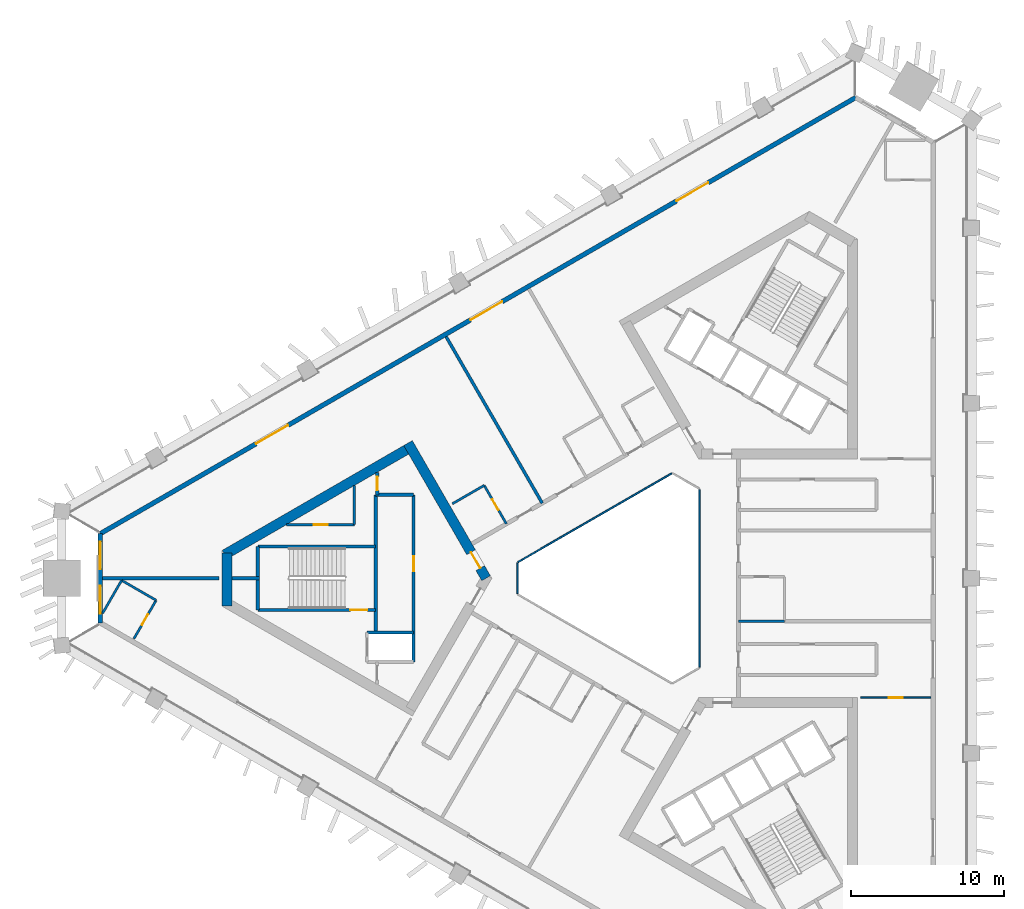
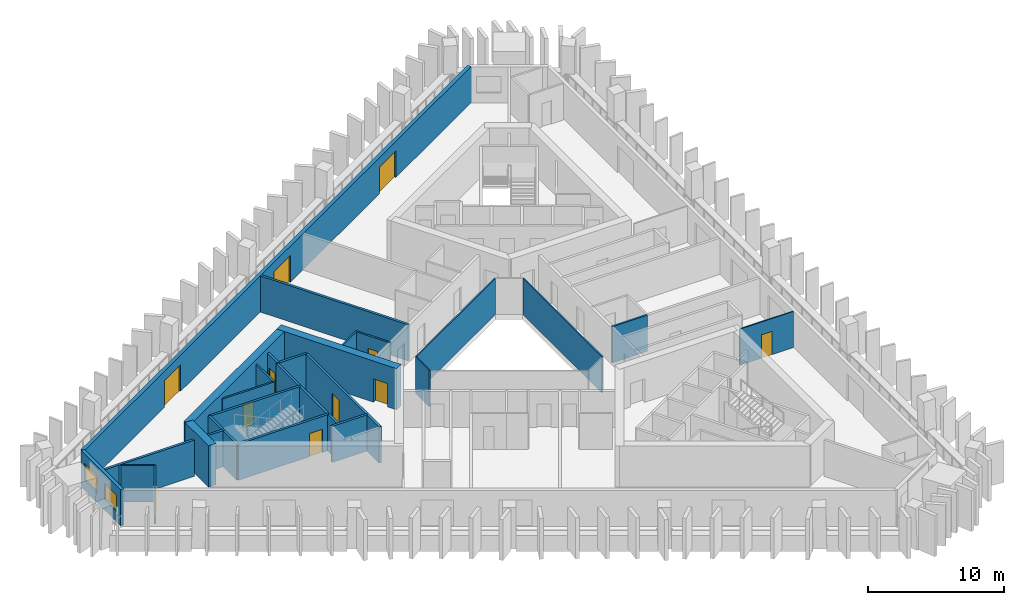
# One storey, part 4 of 11: 28 walls, 11 doors, 2 windows, 13 openings.
"""IFC4 building model written with IfcOpenShell, lengths in metres."""

from ifc_helpers import new_model, si_unit, direction, frame, frame_2d, origin, place, context, subcontext, project, spatial, rectangle, extrude, material, layer, layer_set, type_object, element, fill, save


model = new_model("IFC4")

# Units and contexts
model_context = context("Model", 3, precision=1e-05, world=origin(), true_north=direction((0.0, 1.0)))
body_context = subcontext(model_context, "Body", "Model", "MODEL_VIEW")
ifc_project = project(units=[si_unit("LENGTHUNIT", "METRE"), si_unit("AREAUNIT", "SQUARE_METRE"), si_unit("VOLUMEUNIT", "CUBIC_METRE"), si_unit("PLANEANGLEUNIT", "RADIAN"), si_unit("MASSUNIT", "GRAM", prefix="KILO")], contexts=[model_context])

# Site, building, storey
site_placement = place(None, origin())
site = spatial("IfcSite", under=ifc_project, at=site_placement, CompositionType="ELEMENT")
building_placement = place(site_placement, origin())
building = spatial("IfcBuilding", under=site, at=building_placement, Name="Jabali Bay Hotel Tower and Convention Centre", CompositionType="ELEMENT")
storey_placement = place(building_placement, frame((0.0, 0.0, 114.199951171875)))
storey = spatial("IfcBuildingStorey", under=building, at=storey_placement, Name="L27", CompositionType="ELEMENT", Elevation=114.199951171875)

# Walls
ifc_material_1 = material(Name="Fire-resistant glazing", Category="glass")
ifc_layer_1 = layer(ifc_material_1, 0.10009765625)
ifc_layer_set_1 = layer_set([ifc_layer_1], Name="Fire-resistant glazing")
wall_type_1 = type_object("IfcWallType", Name="Atrium glazed screen 100", PredefinedType="PARTITIONING", material=ifc_layer_set_1)
for number, where, z_axis, x_axis, name in (
    (1, (79.56005859375, 74.205810546875, 0.0), (0.0, 0.0, 1.0), (0.0, 1.0, 0.0), "Atrium screen 1 L27"),
    (2, (77.738037109375, 86.84619140625, 0.0), (0.0, 0.0, 1.0), (-0.866026658274, -0.499997827154, 0.0), "Atrium screen 3 L27"),
):
    element("IfcWall", number, at=place(storey_placement, frame(where, z_axis=z_axis, x_axis=x_axis)), inside=storey, type_object=wall_type_1, Name=name, PredefinedType="PARTITIONING", context=body_context, shape_type="SweptSolid", body=[
        extrude(rectangle(XDim=11.58837890625, YDim=0.10009765625, at=frame_2d((5.794189453125, 0.0))), origin(), (0.0, 0.0, 1.0), 3.25),
    ])
wall_1_placement = place(storey_placement, frame((67.672119140625, 81.0, 0.0), z_axis=(0.0, 0.0, 1.0), x_axis=(0.0, -1.0, 0.0)))
element("IfcWall", 3, at=wall_1_placement, inside=storey, type_object=wall_type_1, Name="Atrium screen 4 L27", PredefinedType="PARTITIONING", context=body_context, shape_type="SweptSolid", body=[
    extrude(rectangle(XDim=2.0, YDim=0.10009765625, at=frame_2d((1.0, 0.0))), origin(), (0.0, 0.0, 1.0), 3.25),
])
ifc_material_2 = material(Name="Concrete C40", Category="concrete")
ifc_layer_2 = layer(ifc_material_2, 0.199951171875)
ifc_layer_set_2 = layer_set([ifc_layer_2], Name="Concrete C40")
wall_type_2 = type_object("IfcWallType", Name="Core partition wall 200", PredefinedType="PARTITIONING", material=ifc_layer_set_2)
wall_2_placement = place(storey_placement, frame((50.820068359375, 80.0, 0.0), z_axis=(0.0, 0.0, 1.0), x_axis=(-1.0, 0.0, 0.0)))
element("IfcWall", 4, at=wall_2_placement, inside=storey, type_object=wall_type_2, Name="Core wall 0.3 L27", PredefinedType="PARTITIONING", context=body_context, shape_type="SweptSolid", body=[
    extrude(rectangle(XDim=1.773193359375, YDim=0.199951171875, at=frame_2d((0.88671875, 0.0))), origin(), (0.0, 0.0, 1.0), 3.25),
])

# Wall, opening, door
wall_3_placement = place(storey_placement, frame((58.52001953125, 86.916748046875, 0.0), z_axis=(0.0, 0.0, 1.0), x_axis=(0.0, -1.0, 0.0)))
wall_3 = element("IfcWall", 5, at=wall_3_placement, inside=storey, type_object=wall_type_2, Name="Core wall 0.8 L27", PredefinedType="PARTITIONING", context=body_context, shape_type="SweptSolid", body=[
    extrude(rectangle(XDim=1.466796875, YDim=0.199951171875, at=frame_2d((0.7333984375, 0.0))), origin(), (0.0, 0.0, 1.0), 3.25),
])
opening_1_placement = place(wall_3_placement, frame((0.283447265625, 0.0, 0.0)))
opening_1 = element("IfcOpeningElement", 6, at=opening_1_placement, cuts=wall_3, Name="Opening D606", PredefinedType="OPENING", context=body_context, shape_type="SweptSolid", body=[
    extrude(rectangle(XDim=0.89990234375, YDim=2.10009765625, at=frame_2d((0.449951171875, 1.050048828125))), frame((0.0, 0.1103515625, 0.0), z_axis=(0.0, -1.0, 0.0), x_axis=(1.0, 0.0, 0.0)), (0.0, 0.0, 1.0), 0.220947265625),
])
ifc_material_3 = material(Name="Fire-rated steel door", Category="steel")
door_type_1 = type_object("IfcDoorType", Name="Vestibule fire door 900 x 2100", OperationType="NOTDEFINED", PredefinedType="NOTDEFINED", material=ifc_material_3)
door_1_placement = place(opening_1_placement, origin())
door_1 = element("IfcDoor", 7, at=door_1_placement, inside=storey, type_object=door_type_1, Name="Vestibule fire door D606", OperationType="SINGLE_SWING_LEFT", OverallHeight=2.10009765625, OverallWidth=0.89990234375, PredefinedType="NOTDEFINED", context=body_context, shape_type="SweptSolid", body=[
    extrude(rectangle(XDim=0.89990234375, YDim=2.10009765625, at=frame_2d((0.449951171875, 1.050048828125))), frame((0.0, 0.02490234375, 0.0), z_axis=(0.0, -1.0, 0.0), x_axis=(1.0, 0.0, 0.0)), (0.0, 0.0, 1.0), 0.050048828125),
])
fill(opening_1, door_1)

ifc_material_4 = material(Name="Fire-rated board partition")
ifc_layer_3 = layer(ifc_material_4, 0.14990234375)
ifc_layer_set_3 = layer_set([ifc_layer_3], Name="Fire-rated board partition")
wall_type_3 = type_object("IfcWallType", Name="Core room partition 150", PredefinedType="PARTITIONING", material=ifc_layer_set_3)
wall_4_placement = place(storey_placement, frame((57.02001953125, 83.5, 0.0), z_axis=(0.0, 0.0, 1.0), x_axis=(-1.0, 0.0, 0.0)))
wall_4 = element("IfcWall", 8, at=wall_4_placement, inside=storey, type_object=wall_type_3, Name="Core wall 0.1 L27", PredefinedType="PARTITIONING", context=body_context, shape_type="SweptSolid", body=[
    extrude(rectangle(XDim=4.417724609375, YDim=0.14990234375, at=frame_2d((2.208984375, 0.0))), origin(), (0.0, 0.0, 1.0), 3.25),
])
opening_2_placement = place(wall_4_placement, frame((1.7314453125, 0.0, 0.0)))
opening_2 = element("IfcOpeningElement", 9, at=opening_2_placement, cuts=wall_4, Name="Opening D608", PredefinedType="OPENING", context=body_context, shape_type="SweptSolid", body=[
    extrude(rectangle(XDim=0.89990234375, YDim=2.10009765625, at=frame_2d((0.449951171875, 1.050048828125))), frame((0.0, 0.08544921875, 0.0), z_axis=(0.0, -1.0, 0.0), x_axis=(1.0, 0.0, 0.0)), (0.0, 0.0, 1.0), 0.1708984375),
])
door_type_2 = type_object("IfcDoorType", Name="Core room door 900 x 2100", OperationType="NOTDEFINED", PredefinedType="NOTDEFINED", material=ifc_material_3)
door_2_placement = place(opening_2_placement, origin())
door_2 = element("IfcDoor", 10, at=door_2_placement, inside=storey, type_object=door_type_2, Name="Core room door D608", OperationType="SINGLE_SWING_LEFT", OverallHeight=2.10009765625, OverallWidth=0.89990234375, PredefinedType="NOTDEFINED", context=body_context, shape_type="SweptSolid", body=[
    extrude(rectangle(XDim=0.89990234375, YDim=2.10009765625, at=frame_2d((0.449951171875, 1.050048828125))), frame((0.0, 0.02490234375, 0.0), z_axis=(0.0, -1.0, 0.0), x_axis=(1.0, 0.0, 0.0)), (0.0, 0.0, 1.0), 0.050048828125),
])
fill(opening_2, door_2)

# Walls
wall_5_placement = place(storey_placement, frame((57.02001953125, 86.050537109375, 0.0), z_axis=(0.0, 0.0, 1.0), x_axis=(0.0, -1.0, 0.0)))
element("IfcWall", 11, at=wall_5_placement, inside=storey, type_object=wall_type_3, Name="Core wall 0.12 L27", PredefinedType="PARTITIONING", context=body_context, shape_type="SweptSolid", body=[
    extrude(rectangle(XDim=2.550537109375, YDim=0.14990234375, at=frame_2d((1.275390625, 0.0))), origin(), (0.0, 0.0, 1.0), 3.25),
])
ifc_layer_4 = layer(ifc_material_2, 0.199951171875)
ifc_layer_set_4 = layer_set([ifc_layer_4], Name="Concrete C40")
wall_type_4 = type_object("IfcWallType", Name="Core stair wall 200", PredefinedType="SOLIDWALL", material=ifc_layer_set_4)
wall_6_placement = place(storey_placement, frame((60.89990234375, 85.449951171875, 0.0), z_axis=(0.0, 0.0, 1.0), x_axis=(-1.0, 0.0, 0.0)))
element("IfcWall", 12, at=wall_6_placement, inside=storey, type_object=wall_type_4, Name="Core wall 0.0 L27", PredefinedType="SOLIDWALL", context=body_context, shape_type="SweptSolid", body=[
    extrude(rectangle(XDim=2.47998046875, YDim=0.199951171875, at=frame_2d((1.239990234375, 0.0))), origin(), (0.0, 0.0, 1.0), 3.25),
])
wall_7_placement = place(storey_placement, frame((58.419921875, 82.074951171875, 0.0), z_axis=(0.0, 0.0, 1.0), x_axis=(-1.0, 0.0, 0.0)))
element("IfcWall", 13, at=wall_7_placement, inside=storey, type_object=wall_type_4, Name="Core wall 0.2 L27", PredefinedType="SOLIDWALL", context=body_context, shape_type="SweptSolid", body=[
    extrude(rectangle(XDim=7.699951171875, YDim=0.199951171875, at=frame_2d((3.85009765625, 0.0))), origin(), (0.0, 0.0, 1.0), 3.25),
])

# Wall, opening, door
wall_8_placement = place(storey_placement, frame((58.419921875, 77.925048828125, 0.0), z_axis=(0.0, 0.0, 1.0), x_axis=(-1.0, 0.0, 0.0)))
wall_8 = element("IfcWall", 14, at=wall_8_placement, inside=storey, type_object=wall_type_4, Name="Core wall 0.4 L27", PredefinedType="SOLIDWALL", context=body_context, shape_type="SweptSolid", body=[
    extrude(rectangle(XDim=7.699951171875, YDim=0.199951171875, at=frame_2d((3.85009765625, 0.0))), origin(), (0.0, 0.0, 1.0), 3.25),
])
opening_3_placement = place(wall_8_placement, frame((0.550048828125, 0.0, 0.0)))
opening_3 = element("IfcOpeningElement", 15, at=opening_3_placement, cuts=wall_8, Name="Opening D607", PredefinedType="OPENING", context=body_context, shape_type="SweptSolid", body=[
    extrude(rectangle(XDim=1.10009765625, YDim=2.10009765625, at=frame_2d((0.550048828125, 1.050048828125))), frame((0.0, 0.1103515625, 0.0), z_axis=(0.0, -1.0, 0.0), x_axis=(1.0, 0.0, 0.0)), (0.0, 0.0, 1.0), 0.220947265625),
])
door_type_3 = type_object("IfcDoorType", Name="Stair fire door 1100 x 2100", OperationType="NOTDEFINED", PredefinedType="NOTDEFINED", material=ifc_material_3)
door_3_placement = place(opening_3_placement, origin())
door_3 = element("IfcDoor", 16, at=door_3_placement, inside=storey, type_object=door_type_3, Name="Stair fire door D607", OperationType="SINGLE_SWING_RIGHT", OverallHeight=2.10009765625, OverallWidth=1.10009765625, PredefinedType="NOTDEFINED", context=body_context, shape_type="SweptSolid", body=[
    extrude(rectangle(XDim=1.10009765625, YDim=2.10009765625, at=frame_2d((0.550048828125, 1.050048828125))), frame((0.0, 0.02490234375, 0.0), z_axis=(0.0, -1.0, 0.0), x_axis=(1.0, 0.0, 0.0)), (0.0, 0.0, 1.0), 0.050048828125),
])
fill(opening_3, door_3)

# Wall
wall_9_placement = place(storey_placement, frame((60.89990234375, 76.449951171875, 0.0), z_axis=(0.0, 0.0, 1.0), x_axis=(-1.0, 0.0, 0.0)))
element("IfcWall", 17, at=wall_9_placement, inside=storey, type_object=wall_type_4, Name="Core wall 0.5 L27", PredefinedType="SOLIDWALL", context=body_context, shape_type="SweptSolid", body=[
    extrude(rectangle(XDim=3.0498046875, YDim=0.199951171875, at=frame_2d((1.52490234375, 0.0))), origin(), (0.0, 0.0, 1.0), 3.25),
])

# Wall, opening, door
wall_10_placement = place(storey_placement, frame((60.89990234375, 85.449951171875, 0.0), z_axis=(0.0, 0.0, 1.0), x_axis=(0.0, -1.0, 0.0)))
wall_10 = element("IfcWall", 18, at=wall_10_placement, inside=storey, type_object=wall_type_4, Name="Core wall 0.7 L27", PredefinedType="SOLIDWALL", context=body_context, shape_type="SweptSolid", body=[
    extrude(rectangle(XDim=10.89990234375, YDim=0.199951171875, at=frame_2d((5.449951171875, 0.0))), origin(), (0.0, 0.0, 1.0), 3.25),
])
opening_4_placement = place(wall_10_placement, frame((4.0, 0.0, 0.0)))
opening_4 = element("IfcOpeningElement", 19, at=opening_4_placement, cuts=wall_10, Name="Opening D604", PredefinedType="OPENING", context=body_context, shape_type="SweptSolid", body=[
    extrude(rectangle(XDim=1.0, YDim=2.10009765625, at=frame_2d((0.5, 1.050048828125))), frame((0.0, 0.1103515625, 0.0), z_axis=(0.0, -1.0, 0.0), x_axis=(1.0, 0.0, 0.0)), (0.0, 0.0, 1.0), 0.220947265625),
])
door_type_4 = type_object("IfcDoorType", Name="Core room door 1000 x 2100", OperationType="NOTDEFINED", PredefinedType="NOTDEFINED", material=ifc_material_3)
door_4_placement = place(opening_4_placement, origin())
door_4 = element("IfcDoor", 20, at=door_4_placement, inside=storey, type_object=door_type_4, Name="Core room door D604", OperationType="SINGLE_SWING_RIGHT", OverallHeight=2.10009765625, OverallWidth=1.0, PredefinedType="NOTDEFINED", context=body_context, shape_type="SweptSolid", body=[
    extrude(rectangle(XDim=1.0, YDim=2.10009765625, at=frame_2d((0.5, 1.050048828125))), frame((0.0, 0.02490234375, 0.0), z_axis=(0.0, -1.0, 0.0), x_axis=(1.0, 0.0, 0.0)), (0.0, 0.0, 1.0), 0.050048828125),
])
fill(opening_4, door_4)

# Walls
wall_11_placement = place(storey_placement, frame((58.419921875, 85.449951171875, 0.0), z_axis=(0.0, 0.0, 1.0), x_axis=(0.0, -1.0, 0.0)))
element("IfcWall", 21, at=wall_11_placement, inside=storey, type_object=wall_type_4, Name="Core wall 0.10 L27", PredefinedType="SOLIDWALL", context=body_context, shape_type="SweptSolid", body=[
    extrude(rectangle(XDim=9.0, YDim=0.199951171875, at=frame_2d((4.5, 0.0))), origin(), (0.0, 0.0, 1.0), 3.25),
])
wall_12_placement = place(storey_placement, frame((50.719970703125, 82.074951171875, 0.0), z_axis=(0.0, 0.0, 1.0), x_axis=(0.0, -1.0, 0.0)))
element("IfcWall", 22, at=wall_12_placement, inside=storey, type_object=wall_type_4, Name="Core wall 0.13 L27", PredefinedType="SOLIDWALL", context=body_context, shape_type="SweptSolid", body=[
    extrude(rectangle(XDim=4.14990234375, YDim=0.199951171875, at=frame_2d((2.074951171875, 0.0))), origin(), (0.0, 0.0, 1.0), 3.25),
])

# Wall, opening, door
ifc_material_5 = material(Name="Concrete C60", Category="concrete")
ifc_layer_5 = layer(ifc_material_5, 0.64990234375)
ifc_layer_set_5 = layer_set([ifc_layer_5], Name="Concrete C60")
wall_type_5 = type_object("IfcWallType", Name="Core wall 650", PredefinedType="SHEAR", material=ifc_layer_set_5)
wall_13_placement = place(storey_placement, frame((65.624755859375, 80.0, 0.0), z_axis=(0.0, 0.0, 1.0), x_axis=(-0.49999822179, 0.866026430432, 0.0)))
wall_13 = element("IfcWall", 23, at=wall_13_placement, inside=storey, type_object=wall_type_5, Name="Core wall 1.1 L27", PredefinedType="SHEAR", context=body_context, shape_type="SweptSolid", body=[
    extrude(rectangle(XDim=10.1923828125, YDim=0.64990234375, at=frame_2d((5.09619140625, 0.0))), origin(), (0.0, 0.0, 1.0), 3.699951171875),
])
opening_5_placement = place(wall_13_placement, frame((0.762451171875, 0.0, 0.0)))
opening_5 = element("IfcOpeningElement", 24, at=opening_5_placement, cuts=wall_13, Name="Opening D602", PredefinedType="OPENING", context=body_context, shape_type="SweptSolid", body=[
    extrude(rectangle(XDim=1.199951171875, YDim=2.10009765625, at=frame_2d((0.60009765625, 1.050048828125))), frame((0.0, 0.33544921875, 0.0), z_axis=(0.0, -1.0, 0.0), x_axis=(1.0, 0.0, 0.0)), (0.0, 0.0, 1.0), 0.6708984375),
])
door_type_5 = type_object("IfcDoorType", Name="Corridor end fire door 1200 x 2100", OperationType="NOTDEFINED", PredefinedType="NOTDEFINED", material=ifc_material_3)
door_5_placement = place(opening_5_placement, origin())
door_5 = element("IfcDoor", 25, at=door_5_placement, inside=storey, type_object=door_type_5, Name="Corridor end fire door D602", OperationType="SINGLE_SWING_RIGHT", OverallHeight=2.10009765625, OverallWidth=1.199951171875, PredefinedType="NOTDEFINED", context=body_context, shape_type="SweptSolid", body=[
    extrude(rectangle(XDim=1.199951171875, YDim=2.10009765625, at=frame_2d((0.60009765625, 1.050048828125))), frame((0.0, 0.02490234375, 0.0), z_axis=(0.0, -1.0, 0.0), x_axis=(1.0, 0.0, 0.0)), (0.0, 0.0, 1.0), 0.050048828125),
])
fill(opening_5, door_5)

# Walls
wall_14_placement = place(storey_placement, frame((60.691162109375, 88.54541015625, 0.0), z_axis=(0.0, 0.0, 1.0), x_axis=(-0.866030607649, -0.499990986534, 0.0)))
element("IfcWall", 26, at=wall_14_placement, inside=storey, type_object=wall_type_5, Name="Core wall 1.2 L27", PredefinedType="SHEAR", context=body_context, shape_type="SweptSolid", body=[
    extrude(rectangle(XDim=14.008544921875, YDim=0.64990234375, at=frame_2d((7.00439453125, 0.0))), origin(), (0.0, 0.0, 1.0), 3.699951171875),
])
wall_15_placement = place(storey_placement, frame((48.721923828125, 81.635009765625, 0.0), z_axis=(0.0, 0.0, 1.0), x_axis=(0.0, -1.0, 0.0)))
element("IfcWall", 27, at=wall_15_placement, inside=storey, type_object=wall_type_5, Name="Core wall 1.3 L27", PredefinedType="SHEAR", context=body_context, shape_type="SweptSolid", body=[
    extrude(rectangle(XDim=3.457763671875, YDim=0.64990234375, at=frame_2d((1.72900390625, 0.0))), origin(), (0.0, 0.0, 1.0), 3.699951171875),
])

# Wall, openings, windows
ifc_layer_6 = layer(ifc_material_2, 0.300048828125)
ifc_layer_set_6 = layer_set([ifc_layer_6], Name="Concrete C40")
wall_type_6 = type_object("IfcWallType", Name="External wall 300", PredefinedType="SOLIDWALL", material=ifc_layer_set_6)
wall_16_placement = place(storey_placement, frame((40.4453125, 77.0869140625, 0.0), z_axis=(0.0, 0.0, 1.0), x_axis=(0.0, 1.0, 0.0)))
wall_16 = element("IfcWall", 28, at=wall_16_placement, inside=storey, type_object=wall_type_6, Name="External wall west chamfer L27", PredefinedType="SOLIDWALL", context=body_context, shape_type="SweptSolid", body=[
    extrude(rectangle(XDim=5.826171875, YDim=0.300048828125, at=frame_2d((2.9130859375, 0.0))), origin(), (0.0, 0.0, 1.0), 3.25),
])
opening_6_placement = place(wall_16_placement, frame((0.6123046875, 0.0, 0.89990234375)))
opening_6 = element("IfcOpeningElement", 29, at=opening_6_placement, cuts=wall_16, Name="Opening W1", PredefinedType="OPENING", context=body_context, shape_type="SweptSolid", body=[
    extrude(rectangle(XDim=1.800048828125, YDim=1.5, at=frame_2d((0.89990234375, 0.75))), frame((0.0, 0.16064453125, 0.0), z_axis=(0.0, -1.0, 0.0), x_axis=(1.0, 0.0, 0.0)), (0.0, 0.0, 1.0), 0.321044921875),
])
opening_7_placement = place(wall_16_placement, frame((3.51220703125, 0.0, 0.89990234375)))
opening_7 = element("IfcOpeningElement", 30, at=opening_7_placement, cuts=wall_16, Name="Opening W1", PredefinedType="OPENING", context=body_context, shape_type="SweptSolid", body=[
    extrude(rectangle(XDim=1.800048828125, YDim=1.5, at=frame_2d((0.89990234375, 0.75))), frame((0.0, 0.16064453125, 0.0), z_axis=(0.0, -1.0, 0.0), x_axis=(1.0, 0.0, 0.0)), (0.0, 0.0, 1.0), 0.321044921875),
])
ifc_material_6 = material(Name="Glass", Category="glass")
window_type = type_object("IfcWindowType", Name="Window 1800 x 1500", PartitioningType="SINGLE_PANEL", PredefinedType="WINDOW", material=ifc_material_6)
window_1_placement = place(opening_6_placement, origin())
window_1 = element("IfcWindow", 31, at=window_1_placement, inside=storey, type_object=window_type, Name="Window 2709", OverallHeight=1.5, OverallWidth=1.800048828125, PartitioningType="SINGLE_PANEL", PredefinedType="WINDOW", context=body_context, shape_type="SweptSolid", body=[
    extrude(rectangle(XDim=1.800048828125, YDim=1.5, at=frame_2d((0.89990234375, 0.75))), frame((0.0, 0.030029296875, 0.0), z_axis=(0.0, -1.0, 0.0), x_axis=(1.0, 0.0, 0.0)), (0.0, 0.0, 1.0), 0.06005859375),
])
fill(opening_6, window_1)
window_2_placement = place(opening_7_placement, origin())
window_2 = element("IfcWindow", 32, at=window_2_placement, inside=storey, type_object=window_type, Name="Window 2708", OverallHeight=1.5, OverallWidth=1.800048828125, PartitioningType="SINGLE_PANEL", PredefinedType="WINDOW", context=body_context, shape_type="SweptSolid", body=[
    extrude(rectangle(XDim=1.800048828125, YDim=1.5, at=frame_2d((0.89990234375, 0.75))), frame((0.0, 0.030029296875, 0.0), z_axis=(0.0, -1.0, 0.0), x_axis=(1.0, 0.0, 0.0)), (0.0, 0.0, 1.0), 0.06005859375),
])
fill(opening_7, window_2)

# Wall, openings, doors
wall_17_placement = place(storey_placement, frame((40.4453125, 82.9130859375, 0.0), z_axis=(0.0, 0.0, 1.0), x_axis=(0.866025424614, 0.499999963922, 0.0)))
wall_17 = element("IfcWall", 33, at=wall_17_placement, inside=storey, type_object=wall_type_6, Name="External wall north-west face L27", PredefinedType="SOLIDWALL", context=body_context, shape_type="SweptSolid", body=[
    extrude(rectangle(XDim=56.9375, YDim=0.300048828125, at=frame_2d((28.46875, 0.0))), origin(), (0.0, 0.0, 1.0), 3.25),
])
opening_8_placement = place(wall_17_placement, frame((27.892333984375, 0.0, 0.0)))
opening_8 = element("IfcOpeningElement", 34, at=opening_8_placement, cuts=wall_17, Name="Opening SD1", PredefinedType="OPENING", context=body_context, shape_type="SweptSolid", body=[
    extrude(rectangle(XDim=2.39990234375, YDim=2.39990234375, at=frame_2d((1.199951171875, 1.199951171875))), frame((0.0, 0.16064453125, 0.0), z_axis=(0.0, -1.0, 0.0), x_axis=(1.0, 0.0, 0.0)), (0.0, 0.0, 1.0), 0.321044921875),
])
opening_9_placement = place(wall_17_placement, frame((43.417236328125, 0.0, 0.0)))
opening_9 = element("IfcOpeningElement", 35, at=opening_9_placement, cuts=wall_17, Name="Opening SD1", PredefinedType="OPENING", context=body_context, shape_type="SweptSolid", body=[
    extrude(rectangle(XDim=2.39990234375, YDim=2.39990234375, at=frame_2d((1.199951171875, 1.199951171875))), frame((0.0, 0.16064453125, 0.0), z_axis=(0.0, -1.0, 0.0), x_axis=(1.0, 0.0, 0.0)), (0.0, 0.0, 1.0), 0.321044921875),
])
opening_10_placement = place(wall_17_placement, frame((11.744140625, 0.0, 0.0)))
opening_10 = element("IfcOpeningElement", 36, at=opening_10_placement, cuts=wall_17, Name="Opening SD1", PredefinedType="OPENING", context=body_context, shape_type="SweptSolid", body=[
    extrude(rectangle(XDim=2.39990234375, YDim=2.39990234375, at=frame_2d((1.199951171875, 1.199951171875))), frame((0.0, 0.16064453125, 0.0), z_axis=(0.0, -1.0, 0.0), x_axis=(1.0, 0.0, 0.0)), (0.0, 0.0, 1.0), 0.321044921875),
])
door_type_6 = type_object("IfcDoorType", Name="Loggia sliding door 2400 x 2400", OperationType="NOTDEFINED", PredefinedType="NOTDEFINED", material=ifc_material_6)
door_6_placement = place(opening_8_placement, origin())
door_6 = element("IfcDoor", 37, at=door_6_placement, inside=storey, type_object=door_type_6, Name="Loggia sliding door 2707", OperationType="SLIDING_TO_LEFT", OverallHeight=2.39990234375, OverallWidth=2.39990234375, PredefinedType="NOTDEFINED", context=body_context, shape_type="SweptSolid", body=[
    extrude(rectangle(XDim=2.39990234375, YDim=2.39990234375, at=frame_2d((1.199951171875, 1.199951171875))), frame((0.0, 0.02490234375, 0.0), z_axis=(0.0, -1.0, 0.0), x_axis=(1.0, 0.0, 0.0)), (0.0, 0.0, 1.0), 0.050048828125),
])
fill(opening_8, door_6)
door_7_placement = place(opening_9_placement, origin())
door_7 = element("IfcDoor", 38, at=door_7_placement, inside=storey, type_object=door_type_6, Name="Loggia sliding door 2706", OperationType="SLIDING_TO_RIGHT", OverallHeight=2.39990234375, OverallWidth=2.39990234375, PredefinedType="NOTDEFINED", context=body_context, shape_type="SweptSolid", body=[
    extrude(rectangle(XDim=2.39990234375, YDim=2.39990234375, at=frame_2d((1.199951171875, 1.199951171875))), frame((0.0, 0.02490234375, 0.0), z_axis=(0.0, -1.0, 0.0), x_axis=(1.0, 0.0, 0.0)), (0.0, 0.0, 1.0), 0.050048828125),
])
fill(opening_9, door_7)
door_8_placement = place(opening_10_placement, origin())
door_8 = element("IfcDoor", 39, at=door_8_placement, inside=storey, type_object=door_type_6, Name="Loggia sliding door 2708", OperationType="SLIDING_TO_LEFT", OverallHeight=2.39990234375, OverallWidth=2.39990234375, PredefinedType="NOTDEFINED", context=body_context, shape_type="SweptSolid", body=[
    extrude(rectangle(XDim=2.39990234375, YDim=2.39990234375, at=frame_2d((1.199951171875, 1.199951171875))), frame((0.0, 0.02490234375, 0.0), z_axis=(0.0, -1.0, 0.0), x_axis=(1.0, 0.0, 0.0)), (0.0, 0.0, 1.0), 0.050048828125),
])
fill(opening_10, door_8)

# Wall, opening, door
ifc_material_7 = material(Name="Plasterboard on steel stud", Category="steel")
ifc_layer_7 = layer(ifc_material_7, 0.10009765625)
ifc_layer_set_7 = layer_set([ifc_layer_7], Name="Plasterboard on steel stud")
wall_type_7 = type_object("IfcWallType", Name="Partition 100 unit", PredefinedType="PARTITIONING", material=ifc_layer_set_7)
wall_18_placement = place(storey_placement, frame((90.0791015625, 72.205810546875, 0.0), z_axis=(0.0, 0.0, 1.0), x_axis=(1.0, 0.0, 0.0)))
wall_18 = element("IfcWall", 40, at=wall_18_placement, inside=storey, type_object=wall_type_7, Name="Partition P02 L27 001", PredefinedType="PARTITIONING", context=body_context, shape_type="SweptSolid", body=[
    extrude(rectangle(XDim=4.572021484375, YDim=0.10009765625, at=frame_2d((2.2861328125, 0.0))), origin(), (0.0, 0.0, 1.0), 3.25),
])
opening_11_placement = place(wall_18_placement, frame((1.8359375, 0.0, 0.0)))
opening_11 = element("IfcOpeningElement", 41, at=opening_11_placement, cuts=wall_18, Name="Opening 2702", PredefinedType="OPENING", context=body_context, shape_type="SweptSolid", body=[
    extrude(rectangle(XDim=0.89990234375, YDim=2.10009765625, at=frame_2d((0.449951171875, 1.050048828125))), frame((0.0, 0.060546875, 0.0), z_axis=(0.0, -1.0, 0.0), x_axis=(1.0, 0.0, 0.0)), (0.0, 0.0, 1.0), 0.12109375),
])
ifc_material_8 = material(Name="Timber", Category="wood")
door_type_7 = type_object("IfcDoorType", Name="Internal door 900 x 2100", OperationType="NOTDEFINED", PredefinedType="NOTDEFINED", material=ifc_material_8)
door_9_placement = place(opening_11_placement, origin())
door_9 = element("IfcDoor", 42, at=door_9_placement, inside=storey, type_object=door_type_7, Name="Door 2702", OperationType="SINGLE_SWING_LEFT", OverallHeight=2.10009765625, OverallWidth=0.89990234375, PredefinedType="NOTDEFINED", context=body_context, shape_type="SweptSolid", body=[
    extrude(rectangle(XDim=0.89990234375, YDim=2.10009765625, at=frame_2d((0.449951171875, 1.050048828125))), frame((0.0, 0.02490234375, 0.0), z_axis=(0.0, -1.0, 0.0), x_axis=(1.0, 0.0, 0.0)), (0.0, 0.0, 1.0), 0.050048828125),
])
fill(opening_11, door_9)

# Walls
ifc_layer_8 = layer(ifc_material_7, 0.14990234375)
ifc_layer_set_8 = layer_set([ifc_layer_8], Name="Plasterboard on steel stud")
wall_type_8 = type_object("IfcWallType", Name="Partition 150 wet", PredefinedType="PARTITIONING", material=ifc_layer_set_8)
wall_19_placement = place(storey_placement, frame((85.10009765625, 77.194091796875, 0.0), z_axis=(0.0, 0.0, 1.0), x_axis=(-1.0, 0.0, 0.0)))
element("IfcWall", 43, at=wall_19_placement, inside=storey, type_object=wall_type_8, Name="Partition P03 L27 006", PredefinedType="PARTITIONING", context=body_context, shape_type="SweptSolid", body=[
    extrude(rectangle(XDim=3.0, YDim=0.14990234375, at=frame_2d((1.5, 0.0))), origin(), (0.0, 0.0, 1.0), 3.25),
])
wall_20_placement = place(storey_placement, frame((63.42236328125, 84.862548828125, 0.0), z_axis=(0.0, 0.0, 1.0), x_axis=(0.865994240961, 0.500053971709, 0.0)))
element("IfcWall", 44, at=wall_20_placement, inside=storey, type_object=wall_type_8, Name="Partition P03 L27 029", PredefinedType="PARTITIONING", context=body_context, shape_type="SweptSolid", body=[
    extrude(rectangle(XDim=2.401123046875, YDim=0.14990234375, at=frame_2d((1.20068359375, 0.0))), origin(), (0.0, 0.0, 1.0), 3.25),
])

# Wall, opening, door
wall_21_placement = place(storey_placement, frame((65.501708984375, 86.063232421875, 0.0), z_axis=(0.0, 0.0, 1.0), x_axis=(0.499987231761, -0.866032775405, 0.0)))
wall_21 = element("IfcWall", 45, at=wall_21_placement, inside=storey, type_object=wall_type_8, Name="Partition P03 L27 030", PredefinedType="PARTITIONING", context=body_context, shape_type="SweptSolid", body=[
    extrude(rectangle(XDim=2.89990234375, YDim=0.14990234375, at=frame_2d((1.449951171875, 0.0))), origin(), (0.0, 0.0, 1.0), 3.25),
])
opening_12_placement = place(wall_21_placement, frame((1.050048828125, 0.0, 0.0)))
opening_12 = element("IfcOpeningElement", 46, at=opening_12_placement, cuts=wall_21, Name="Opening 2715", PredefinedType="OPENING", context=body_context, shape_type="SweptSolid", body=[
    extrude(rectangle(XDim=0.800048828125, YDim=2.10009765625, at=frame_2d((0.39990234375, 1.050048828125))), frame((0.0, 0.08544921875, 0.0), z_axis=(0.0, -1.0, 0.0), x_axis=(1.0, 0.0, 0.0)), (0.0, 0.0, 1.0), 0.1708984375),
])
door_type_8 = type_object("IfcDoorType", Name="En-suite door 800 x 2100", OperationType="NOTDEFINED", PredefinedType="NOTDEFINED", material=ifc_material_8)
door_10_placement = place(opening_12_placement, origin())
door_10 = element("IfcDoor", 47, at=door_10_placement, inside=storey, type_object=door_type_8, Name="Door 2715", OperationType="SINGLE_SWING_RIGHT", OverallHeight=2.10009765625, OverallWidth=0.800048828125, PredefinedType="NOTDEFINED", context=body_context, shape_type="SweptSolid", body=[
    extrude(rectangle(XDim=0.800048828125, YDim=2.10009765625, at=frame_2d((0.39990234375, 1.050048828125))), frame((0.0, 0.02490234375, 0.0), z_axis=(0.0, -1.0, 0.0), x_axis=(1.0, 0.0, 0.0)), (0.0, 0.0, 1.0), 0.050048828125),
])
fill(opening_12, door_10)

# Walls
wall_22_placement = place(storey_placement, frame((40.59423828125, 77.7177734375, 0.0), z_axis=(0.0, 0.0, 1.0), x_axis=(0.499975499923, 0.866039548448, 0.0)))
element("IfcWall", 48, at=wall_22_placement, inside=storey, type_object=wall_type_8, Name="Partition P03 L27 038", PredefinedType="PARTITIONING", context=body_context, shape_type="SweptSolid", body=[
    extrude(rectangle(XDim=2.4775390625, YDim=0.14990234375, at=frame_2d((1.23876953125, 0.0))), origin(), (0.0, 0.0, 1.0), 3.25),
])
wall_23_placement = place(storey_placement, frame((41.8330078125, 79.863525390625, 0.0), z_axis=(0.0, 0.0, 1.0), x_axis=(0.866062058628, -0.499936506574, 0.0)))
element("IfcWall", 49, at=wall_23_placement, inside=storey, type_object=wall_type_8, Name="Partition P03 L27 039", PredefinedType="PARTITIONING", context=body_context, shape_type="SweptSolid", body=[
    extrude(rectangle(XDim=2.599853515625, YDim=0.14990234375, at=frame_2d((1.2998046875, 0.0))), origin(), (0.0, 0.0, 1.0), 3.25),
])

# Wall, opening, door
wall_24_placement = place(storey_placement, frame((44.084716796875, 78.563720703125, 0.0), z_axis=(0.0, 0.0, 1.0), x_axis=(-0.499987231761, -0.866032775405, 0.0)))
wall_24 = element("IfcWall", 50, at=wall_24_placement, inside=storey, type_object=wall_type_8, Name="Partition P03 L27 040", PredefinedType="PARTITIONING", context=body_context, shape_type="SweptSolid", body=[
    extrude(rectangle(XDim=2.89990234375, YDim=0.14990234375, at=frame_2d((1.449951171875, 0.0))), origin(), (0.0, 0.0, 1.0), 3.25),
])
opening_13_placement = place(wall_24_placement, frame((1.050048828125, 0.0, 0.0)))
opening_13 = element("IfcOpeningElement", 51, at=opening_13_placement, cuts=wall_24, Name="Opening 2719", PredefinedType="OPENING", context=body_context, shape_type="SweptSolid", body=[
    extrude(rectangle(XDim=0.800048828125, YDim=2.10009765625, at=frame_2d((0.39990234375, 1.050048828125))), frame((0.0, 0.08544921875, 0.0), z_axis=(0.0, -1.0, 0.0), x_axis=(1.0, 0.0, 0.0)), (0.0, 0.0, 1.0), 0.1708984375),
])
door_11_placement = place(opening_13_placement, origin())
door_11 = element("IfcDoor", 52, at=door_11_placement, inside=storey, type_object=door_type_8, Name="Door 2719", OperationType="SINGLE_SWING_LEFT", OverallHeight=2.10009765625, OverallWidth=0.800048828125, PredefinedType="NOTDEFINED", context=body_context, shape_type="SweptSolid", body=[
    extrude(rectangle(XDim=0.800048828125, YDim=2.10009765625, at=frame_2d((0.39990234375, 1.050048828125))), frame((0.0, 0.02490234375, 0.0), z_axis=(0.0, -1.0, 0.0), x_axis=(1.0, 0.0, 0.0)), (0.0, 0.0, 1.0), 0.050048828125),
])
fill(opening_13, door_11)

# Walls
ifc_layer_9 = layer(ifc_material_7, 0.199951171875)
ifc_layer_set_9 = layer_set([ifc_layer_9], Name="Plasterboard on steel stud")
wall_type_9 = type_object("IfcWallType", Name="Partition 200 party", PredefinedType="PARTITIONING", material=ifc_layer_set_9)
wall_25_placement = place(storey_placement, frame((63.014404296875, 95.771240234375, 0.0), z_axis=(0.0, 0.0, 1.0), x_axis=(0.500003082808, -0.866023623917, 0.0)))
element("IfcWall", 53, at=wall_25_placement, inside=storey, type_object=wall_type_9, Name="Partition P01 L27 028", PredefinedType="PARTITIONING", context=body_context, shape_type="SweptSolid", body=[
    extrude(rectangle(XDim=12.55126953125, YDim=0.199951171875, at=frame_2d((6.275634765625, 0.0))), origin(), (0.0, 0.0, 1.0), 3.25),
])
wall_26_placement = place(storey_placement, frame((40.59423828125, 80.0, 0.0), z_axis=(0.0, 0.0, 1.0), x_axis=(1.0, 0.0, 0.0)))
element("IfcWall", 54, at=wall_26_placement, inside=storey, type_object=wall_type_9, Name="Partition P01 L27 031", PredefinedType="PARTITIONING", context=body_context, shape_type="SweptSolid", body=[
    extrude(rectangle(XDim=7.603759765625, YDim=0.199951171875, at=frame_2d((3.8017578125, 0.0))), origin(), (0.0, 0.0, 1.0), 3.25),
])

save(model, "model.ifc")
